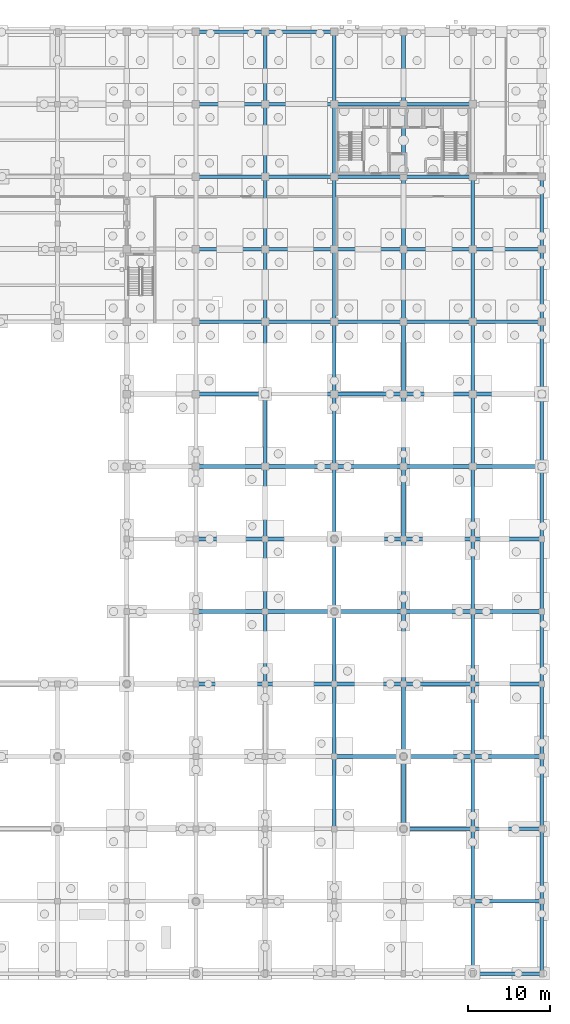
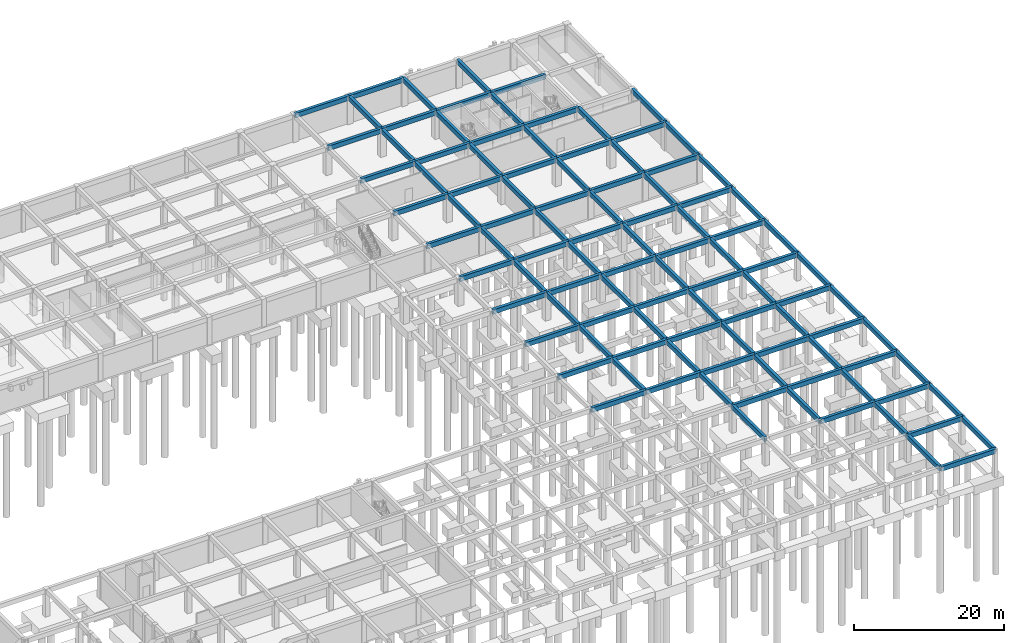
# One storey, part 18 of 41: 105 beams.
"""IFC4 building model written with IfcOpenShell, lengths in metres."""

from ifc_helpers import new_model, si_unit, direction, frame, origin, origin_2d, place, context, subcontext, project, spatial, rectangle, extrude, material, material_profile, profile_set, type_object, element, save


model = new_model("IFC4")

# Units and contexts
model_context = context("Model", 3, precision=1e-05, world=origin(), true_north=direction((0.0, 1.0)))
body_context = subcontext(model_context, "Body", "Model", "MODEL_VIEW")
ifc_project = project(units=[si_unit("LENGTHUNIT", "METRE"), si_unit("AREAUNIT", "SQUARE_METRE"), si_unit("VOLUMEUNIT", "CUBIC_METRE"), si_unit("PLANEANGLEUNIT", "RADIAN"), si_unit("MASSUNIT", "GRAM", prefix="KILO")], contexts=[model_context])

# Site, building, storey
site_placement = place(None, origin())
site = spatial("IfcSite", under=ifc_project, at=site_placement, CompositionType="ELEMENT")
building_placement = place(site_placement, origin())
building = spatial("IfcBuilding", under=site, at=building_placement, Name="Kemercrest Conservatory and Botanical Centre", CompositionType="ELEMENT")
storey_placement = place(building_placement, frame((0.0, 0.0, -4.5)))
storey = spatial("IfcBuildingStorey", under=building, at=storey_placement, Name="B1", CompositionType="ELEMENT", Elevation=-4.5)

# Beams
ifc_material = material(Name="Concrete C40/50", Category="concrete")
ifc_material_profile = material_profile(ifc_material, rectangle(XDim=0.449951171875, YDim=0.75, at=origin_2d()), Name="RC 450x750")
ifc_profile_set = profile_set([ifc_material_profile], Name="Concrete C40/50")
beam_type = type_object("IfcBeamType", Name="BM-RC75", PredefinedType="BEAM", material=ifc_profile_set)
for number, where, z_axis, x_axis, name in (
    (1, (167.60009765625, 8.0, 4.125), (1.0, 0.0, 0.0), (0.0, 1.0, 0.0), "B1 girder 20-21 on A"),
    (2, (167.60009765625, 16.800048828125, 4.125), (1.0, 0.0, 0.0), (0.0, 1.0, 0.0), "B1 girder 20-21 on B"),
):
    element("IfcBeam", number, at=place(storey_placement, frame(where, z_axis=z_axis, x_axis=x_axis)), inside=storey, type_object=beam_type, Name=name, PredefinedType="BEAM", context=body_context, shape_type="SweptSolid", body=[
        extrude(rectangle(XDim=0.449951171875, YDim=0.75, at=origin_2d()), origin(), (0.0, 0.0, 1.0), 8.39990234375),
    ])
beam_1_placement = place(storey_placement, frame((159.199951171875, 25.60009765625, 4.125), z_axis=(1.0, 0.0, 0.0), x_axis=(0.0, 1.0, 0.0)))
element("IfcBeam", 3, at=beam_1_placement, inside=storey, type_object=beam_type, Name="B1 girder 19-20 on C", PredefinedType="BEAM", context=body_context, shape_type="SweptSolid", body=[
    extrude(rectangle(XDim=0.449951171875, YDim=0.75, at=origin_2d()), origin(), (0.0, 0.0, 1.0), 8.400146484375),
])
for number, where, z_axis, x_axis, name in (
    (4, (167.60009765625, 25.60009765625, 4.125), (1.0, 0.0, 0.0), (0.0, 1.0, 0.0), "B1 girder 20-21 on C"),
    (5, (150.800048828125, 34.39990234375, 4.125), (1.0, 0.0, 0.0), (0.0, 1.0, 0.0), "B1 girder 18-19 on D"),
):
    element("IfcBeam", number, at=place(storey_placement, frame(where, z_axis=z_axis, x_axis=x_axis)), inside=storey, type_object=beam_type, Name=name, PredefinedType="BEAM", context=body_context, shape_type="SweptSolid", body=[
        extrude(rectangle(XDim=0.449951171875, YDim=0.75, at=origin_2d()), origin(), (0.0, 0.0, 1.0), 8.39990234375),
    ])
beam_2_placement = place(storey_placement, frame((159.199951171875, 34.39990234375, 4.125), z_axis=(1.0, 0.0, 0.0), x_axis=(0.0, 1.0, 0.0)))
element("IfcBeam", 6, at=beam_2_placement, inside=storey, type_object=beam_type, Name="B1 girder 19-20 on D", PredefinedType="BEAM", context=body_context, shape_type="SweptSolid", body=[
    extrude(rectangle(XDim=0.449951171875, YDim=0.75, at=origin_2d()), origin(), (0.0, 0.0, 1.0), 8.400146484375),
])
for number, where, z_axis, x_axis, name in (
    (7, (167.60009765625, 34.39990234375, 4.125), (1.0, 0.0, 0.0), (0.0, 1.0, 0.0), "B1 girder 20-21 on D"),
    (8, (134.0, 43.199951171875, 4.125), (1.0, 0.0, 0.0), (0.0, 1.0, 0.0), "B1 girder 16-17 on E"),
):
    element("IfcBeam", number, at=place(storey_placement, frame(where, z_axis=z_axis, x_axis=x_axis)), inside=storey, type_object=beam_type, Name=name, PredefinedType="BEAM", context=body_context, shape_type="SweptSolid", body=[
        extrude(rectangle(XDim=0.449951171875, YDim=0.75, at=origin_2d()), origin(), (0.0, 0.0, 1.0), 8.39990234375),
    ])
beam_3_placement = place(storey_placement, frame((142.39990234375, 43.199951171875, 4.125), z_axis=(1.0, 0.0, 0.0), x_axis=(0.0, 1.0, 0.0)))
element("IfcBeam", 9, at=beam_3_placement, inside=storey, type_object=beam_type, Name="B1 girder 17-18 on E", PredefinedType="BEAM", context=body_context, shape_type="SweptSolid", body=[
    extrude(rectangle(XDim=0.449951171875, YDim=0.75, at=origin_2d()), origin(), (0.0, 0.0, 1.0), 8.400146484375),
])
beam_4_placement = place(storey_placement, frame((150.800048828125, 43.199951171875, 4.125), z_axis=(1.0, 0.0, 0.0), x_axis=(0.0, 1.0, 0.0)))
element("IfcBeam", 10, at=beam_4_placement, inside=storey, type_object=beam_type, Name="B1 girder 18-19 on E", PredefinedType="BEAM", context=body_context, shape_type="SweptSolid", body=[
    extrude(rectangle(XDim=0.449951171875, YDim=0.75, at=origin_2d()), origin(), (0.0, 0.0, 1.0), 8.39990234375),
])
beam_5_placement = place(storey_placement, frame((159.199951171875, 43.199951171875, 4.125), z_axis=(1.0, 0.0, 0.0), x_axis=(0.0, 1.0, 0.0)))
element("IfcBeam", 11, at=beam_5_placement, inside=storey, type_object=beam_type, Name="B1 girder 19-20 on E", PredefinedType="BEAM", context=body_context, shape_type="SweptSolid", body=[
    extrude(rectangle(XDim=0.449951171875, YDim=0.75, at=origin_2d()), origin(), (0.0, 0.0, 1.0), 8.400146484375),
])
for number, where, z_axis, x_axis, name in (
    (12, (167.60009765625, 43.199951171875, 4.125), (1.0, 0.0, 0.0), (0.0, 1.0, 0.0), "B1 girder 20-21 on E"),
    (13, (134.0, 52.0, 4.125), (1.0, 0.0, 0.0), (0.0, 1.0, 0.0), "B1 girder 16-17 on F"),
):
    element("IfcBeam", number, at=place(storey_placement, frame(where, z_axis=z_axis, x_axis=x_axis)), inside=storey, type_object=beam_type, Name=name, PredefinedType="BEAM", context=body_context, shape_type="SweptSolid", body=[
        extrude(rectangle(XDim=0.449951171875, YDim=0.75, at=origin_2d()), origin(), (0.0, 0.0, 1.0), 8.39990234375),
    ])
beam_6_placement = place(storey_placement, frame((142.39990234375, 52.0, 4.125), z_axis=(1.0, 0.0, 0.0), x_axis=(0.0, 1.0, 0.0)))
element("IfcBeam", 14, at=beam_6_placement, inside=storey, type_object=beam_type, Name="B1 girder 17-18 on F", PredefinedType="BEAM", context=body_context, shape_type="SweptSolid", body=[
    extrude(rectangle(XDim=0.449951171875, YDim=0.75, at=origin_2d()), origin(), (0.0, 0.0, 1.0), 8.400146484375),
])
beam_7_placement = place(storey_placement, frame((150.800048828125, 52.0, 4.125), z_axis=(1.0, 0.0, 0.0), x_axis=(0.0, 1.0, 0.0)))
element("IfcBeam", 15, at=beam_7_placement, inside=storey, type_object=beam_type, Name="B1 girder 18-19 on F", PredefinedType="BEAM", context=body_context, shape_type="SweptSolid", body=[
    extrude(rectangle(XDim=0.449951171875, YDim=0.75, at=origin_2d()), origin(), (0.0, 0.0, 1.0), 8.39990234375),
])
beam_8_placement = place(storey_placement, frame((159.199951171875, 52.0, 4.125), z_axis=(1.0, 0.0, 0.0), x_axis=(0.0, 1.0, 0.0)))
element("IfcBeam", 16, at=beam_8_placement, inside=storey, type_object=beam_type, Name="B1 girder 19-20 on F", PredefinedType="BEAM", context=body_context, shape_type="SweptSolid", body=[
    extrude(rectangle(XDim=0.449951171875, YDim=0.75, at=origin_2d()), origin(), (0.0, 0.0, 1.0), 8.400146484375),
])
for number, where, z_axis, x_axis, name in (
    (17, (167.60009765625, 52.0, 4.125), (1.0, 0.0, 0.0), (0.0, 1.0, 0.0), "B1 girder 20-21 on F"),
    (18, (134.0, 60.800048828125, 4.125), (1.0, 0.0, 0.0), (0.0, 1.0, 0.0), "B1 girder 16-17 on G"),
):
    element("IfcBeam", number, at=place(storey_placement, frame(where, z_axis=z_axis, x_axis=x_axis)), inside=storey, type_object=beam_type, Name=name, PredefinedType="BEAM", context=body_context, shape_type="SweptSolid", body=[
        extrude(rectangle(XDim=0.449951171875, YDim=0.75, at=origin_2d()), origin(), (0.0, 0.0, 1.0), 8.39990234375),
    ])
beam_9_placement = place(storey_placement, frame((142.39990234375, 60.800048828125, 4.125), z_axis=(1.0, 0.0, 0.0), x_axis=(0.0, 1.0, 0.0)))
element("IfcBeam", 19, at=beam_9_placement, inside=storey, type_object=beam_type, Name="B1 girder 17-18 on G", PredefinedType="BEAM", context=body_context, shape_type="SweptSolid", body=[
    extrude(rectangle(XDim=0.449951171875, YDim=0.75, at=origin_2d()), origin(), (0.0, 0.0, 1.0), 8.400146484375),
])
beam_10_placement = place(storey_placement, frame((150.800048828125, 60.800048828125, 4.125), z_axis=(1.0, 0.0, 0.0), x_axis=(0.0, 1.0, 0.0)))
element("IfcBeam", 20, at=beam_10_placement, inside=storey, type_object=beam_type, Name="B1 girder 18-19 on G", PredefinedType="BEAM", context=body_context, shape_type="SweptSolid", body=[
    extrude(rectangle(XDim=0.449951171875, YDim=0.75, at=origin_2d()), origin(), (0.0, 0.0, 1.0), 8.39990234375),
])
beam_11_placement = place(storey_placement, frame((159.199951171875, 60.800048828125, 4.125), z_axis=(1.0, 0.0, 0.0), x_axis=(0.0, 1.0, 0.0)))
element("IfcBeam", 21, at=beam_11_placement, inside=storey, type_object=beam_type, Name="B1 girder 19-20 on G", PredefinedType="BEAM", context=body_context, shape_type="SweptSolid", body=[
    extrude(rectangle(XDim=0.449951171875, YDim=0.75, at=origin_2d()), origin(), (0.0, 0.0, 1.0), 8.400146484375),
])
for number, where, z_axis, x_axis, name in (
    (22, (167.60009765625, 60.800048828125, 4.125), (1.0, 0.0, 0.0), (0.0, 1.0, 0.0), "B1 girder 20-21 on G"),
    (23, (134.0, 69.60009765625, 4.125), (1.0, 0.0, 0.0), (0.0, 1.0, 0.0), "B1 girder 16-17 on H"),
):
    element("IfcBeam", number, at=place(storey_placement, frame(where, z_axis=z_axis, x_axis=x_axis)), inside=storey, type_object=beam_type, Name=name, PredefinedType="BEAM", context=body_context, shape_type="SweptSolid", body=[
        extrude(rectangle(XDim=0.449951171875, YDim=0.75, at=origin_2d()), origin(), (0.0, 0.0, 1.0), 8.39990234375),
    ])
beam_12_placement = place(storey_placement, frame((142.39990234375, 69.60009765625, 4.125), z_axis=(1.0, 0.0, 0.0), x_axis=(0.0, 1.0, 0.0)))
element("IfcBeam", 24, at=beam_12_placement, inside=storey, type_object=beam_type, Name="B1 girder 17-18 on H", PredefinedType="BEAM", context=body_context, shape_type="SweptSolid", body=[
    extrude(rectangle(XDim=0.449951171875, YDim=0.75, at=origin_2d()), origin(), (0.0, 0.0, 1.0), 8.400146484375),
])
beam_13_placement = place(storey_placement, frame((150.800048828125, 69.60009765625, 4.125), z_axis=(1.0, 0.0, 0.0), x_axis=(0.0, 1.0, 0.0)))
element("IfcBeam", 25, at=beam_13_placement, inside=storey, type_object=beam_type, Name="B1 girder 18-19 on H", PredefinedType="BEAM", context=body_context, shape_type="SweptSolid", body=[
    extrude(rectangle(XDim=0.449951171875, YDim=0.75, at=origin_2d()), origin(), (0.0, 0.0, 1.0), 8.39990234375),
])
beam_14_placement = place(storey_placement, frame((159.199951171875, 69.60009765625, 4.125), z_axis=(1.0, 0.0, 0.0), x_axis=(0.0, 1.0, 0.0)))
element("IfcBeam", 26, at=beam_14_placement, inside=storey, type_object=beam_type, Name="B1 girder 19-20 on H", PredefinedType="BEAM", context=body_context, shape_type="SweptSolid", body=[
    extrude(rectangle(XDim=0.449951171875, YDim=0.75, at=origin_2d()), origin(), (0.0, 0.0, 1.0), 8.400146484375),
])
for number, where, z_axis, x_axis, name in (
    (27, (167.60009765625, 69.60009765625, 4.125), (1.0, 0.0, 0.0), (0.0, 1.0, 0.0), "B1 girder 20-21 on H"),
    (28, (134.0, 78.39990234375, 4.125), (1.0, 0.0, 0.0), (0.0, 1.0, 0.0), "B1 girder 16-17 on J"),
):
    element("IfcBeam", number, at=place(storey_placement, frame(where, z_axis=z_axis, x_axis=x_axis)), inside=storey, type_object=beam_type, Name=name, PredefinedType="BEAM", context=body_context, shape_type="SweptSolid", body=[
        extrude(rectangle(XDim=0.449951171875, YDim=0.75, at=origin_2d()), origin(), (0.0, 0.0, 1.0), 8.39990234375),
    ])
beam_15_placement = place(storey_placement, frame((142.39990234375, 78.39990234375, 4.125), z_axis=(1.0, 0.0, 0.0), x_axis=(0.0, 1.0, 0.0)))
element("IfcBeam", 29, at=beam_15_placement, inside=storey, type_object=beam_type, Name="B1 girder 17-18 on J", PredefinedType="BEAM", context=body_context, shape_type="SweptSolid", body=[
    extrude(rectangle(XDim=0.449951171875, YDim=0.75, at=origin_2d()), origin(), (0.0, 0.0, 1.0), 8.400146484375),
])
beam_16_placement = place(storey_placement, frame((150.800048828125, 78.39990234375, 4.125), z_axis=(1.0, 0.0, 0.0), x_axis=(0.0, 1.0, 0.0)))
element("IfcBeam", 30, at=beam_16_placement, inside=storey, type_object=beam_type, Name="B1 girder 18-19 on J", PredefinedType="BEAM", context=body_context, shape_type="SweptSolid", body=[
    extrude(rectangle(XDim=0.449951171875, YDim=0.75, at=origin_2d()), origin(), (0.0, 0.0, 1.0), 8.39990234375),
])
beam_17_placement = place(storey_placement, frame((159.199951171875, 78.39990234375, 4.125), z_axis=(1.0, 0.0, 0.0), x_axis=(0.0, 1.0, 0.0)))
element("IfcBeam", 31, at=beam_17_placement, inside=storey, type_object=beam_type, Name="B1 girder 19-20 on J", PredefinedType="BEAM", context=body_context, shape_type="SweptSolid", body=[
    extrude(rectangle(XDim=0.449951171875, YDim=0.75, at=origin_2d()), origin(), (0.0, 0.0, 1.0), 8.400146484375),
])
for number, where, z_axis, x_axis, name in (
    (32, (167.60009765625, 78.39990234375, 4.125), (1.0, 0.0, 0.0), (0.0, 1.0, 0.0), "B1 girder 20-21 on J"),
    (33, (134.0, 87.199951171875, 4.125), (1.0, 0.0, 0.0), (0.0, 1.0, 0.0), "B1 girder 16-17 on K"),
):
    element("IfcBeam", number, at=place(storey_placement, frame(where, z_axis=z_axis, x_axis=x_axis)), inside=storey, type_object=beam_type, Name=name, PredefinedType="BEAM", context=body_context, shape_type="SweptSolid", body=[
        extrude(rectangle(XDim=0.449951171875, YDim=0.75, at=origin_2d()), origin(), (0.0, 0.0, 1.0), 8.39990234375),
    ])
beam_18_placement = place(storey_placement, frame((142.39990234375, 87.199951171875, 4.125), z_axis=(1.0, 0.0, 0.0), x_axis=(0.0, 1.0, 0.0)))
element("IfcBeam", 34, at=beam_18_placement, inside=storey, type_object=beam_type, Name="B1 girder 17-18 on K", PredefinedType="BEAM", context=body_context, shape_type="SweptSolid", body=[
    extrude(rectangle(XDim=0.449951171875, YDim=0.75, at=origin_2d()), origin(), (0.0, 0.0, 1.0), 8.400146484375),
])
beam_19_placement = place(storey_placement, frame((150.800048828125, 87.199951171875, 4.125), z_axis=(1.0, 0.0, 0.0), x_axis=(0.0, 1.0, 0.0)))
element("IfcBeam", 35, at=beam_19_placement, inside=storey, type_object=beam_type, Name="B1 girder 18-19 on K", PredefinedType="BEAM", context=body_context, shape_type="SweptSolid", body=[
    extrude(rectangle(XDim=0.449951171875, YDim=0.75, at=origin_2d()), origin(), (0.0, 0.0, 1.0), 8.39990234375),
])
beam_20_placement = place(storey_placement, frame((159.199951171875, 87.199951171875, 4.125), z_axis=(1.0, 0.0, 0.0), x_axis=(0.0, 1.0, 0.0)))
element("IfcBeam", 36, at=beam_20_placement, inside=storey, type_object=beam_type, Name="B1 girder 19-20 on K", PredefinedType="BEAM", context=body_context, shape_type="SweptSolid", body=[
    extrude(rectangle(XDim=0.449951171875, YDim=0.75, at=origin_2d()), origin(), (0.0, 0.0, 1.0), 8.400146484375),
])
for number, where, z_axis, x_axis, name in (
    (37, (167.60009765625, 87.199951171875, 4.125), (1.0, 0.0, 0.0), (0.0, 1.0, 0.0), "B1 girder 20-21 on K"),
    (38, (134.0, 96.0, 4.125), (1.0, 0.0, 0.0), (0.0, 1.0, 0.0), "B1 girder 16-17 on L"),
):
    element("IfcBeam", number, at=place(storey_placement, frame(where, z_axis=z_axis, x_axis=x_axis)), inside=storey, type_object=beam_type, Name=name, PredefinedType="BEAM", context=body_context, shape_type="SweptSolid", body=[
        extrude(rectangle(XDim=0.449951171875, YDim=0.75, at=origin_2d()), origin(), (0.0, 0.0, 1.0), 8.39990234375),
    ])
beam_21_placement = place(storey_placement, frame((142.39990234375, 96.0, 4.125), z_axis=(1.0, 0.0, 0.0), x_axis=(0.0, 1.0, 0.0)))
element("IfcBeam", 39, at=beam_21_placement, inside=storey, type_object=beam_type, Name="B1 girder 17-18 on L", PredefinedType="BEAM", context=body_context, shape_type="SweptSolid", body=[
    extrude(rectangle(XDim=0.449951171875, YDim=0.75, at=origin_2d()), origin(), (0.0, 0.0, 1.0), 8.400146484375),
])
beam_22_placement = place(storey_placement, frame((150.800048828125, 96.0, 4.125), z_axis=(1.0, 0.0, 0.0), x_axis=(0.0, 1.0, 0.0)))
element("IfcBeam", 40, at=beam_22_placement, inside=storey, type_object=beam_type, Name="B1 girder 18-19 on L", PredefinedType="BEAM", context=body_context, shape_type="SweptSolid", body=[
    extrude(rectangle(XDim=0.449951171875, YDim=0.75, at=origin_2d()), origin(), (0.0, 0.0, 1.0), 8.39990234375),
])
beam_23_placement = place(storey_placement, frame((159.199951171875, 96.0, 4.125), z_axis=(1.0, 0.0, 0.0), x_axis=(0.0, 1.0, 0.0)))
element("IfcBeam", 41, at=beam_23_placement, inside=storey, type_object=beam_type, Name="B1 girder 19-20 on L", PredefinedType="BEAM", context=body_context, shape_type="SweptSolid", body=[
    extrude(rectangle(XDim=0.449951171875, YDim=0.75, at=origin_2d()), origin(), (0.0, 0.0, 1.0), 8.400146484375),
])
for number, where, z_axis, x_axis, name in (
    (42, (167.60009765625, 96.0, 4.125), (1.0, 0.0, 0.0), (0.0, 1.0, 0.0), "B1 girder 20-21 on L"),
    (43, (134.0, 104.800048828125, 4.125), (1.0, 0.0, 0.0), (0.0, 1.0, 0.0), "B1 girder 16-17 on M"),
):
    element("IfcBeam", number, at=place(storey_placement, frame(where, z_axis=z_axis, x_axis=x_axis)), inside=storey, type_object=beam_type, Name=name, PredefinedType="BEAM", context=body_context, shape_type="SweptSolid", body=[
        extrude(rectangle(XDim=0.449951171875, YDim=0.75, at=origin_2d()), origin(), (0.0, 0.0, 1.0), 8.39990234375),
    ])
beam_24_placement = place(storey_placement, frame((142.39990234375, 104.800048828125, 4.125), z_axis=(1.0, 0.0, 0.0), x_axis=(0.0, 1.0, 0.0)))
element("IfcBeam", 44, at=beam_24_placement, inside=storey, type_object=beam_type, Name="B1 girder 17-18 on M", PredefinedType="BEAM", context=body_context, shape_type="SweptSolid", body=[
    extrude(rectangle(XDim=0.449951171875, YDim=0.75, at=origin_2d()), origin(), (0.0, 0.0, 1.0), 8.400146484375),
])
beam_25_placement = place(storey_placement, frame((150.800048828125, 104.800048828125, 4.125), z_axis=(1.0, 0.0, 0.0), x_axis=(0.0, 1.0, 0.0)))
element("IfcBeam", 45, at=beam_25_placement, inside=storey, type_object=beam_type, Name="B1 girder 18-19 on M", PredefinedType="BEAM", context=body_context, shape_type="SweptSolid", body=[
    extrude(rectangle(XDim=0.449951171875, YDim=0.75, at=origin_2d()), origin(), (0.0, 0.0, 1.0), 8.39990234375),
])
beam_26_placement = place(storey_placement, frame((159.199951171875, 104.800048828125, 4.125), z_axis=(1.0, 0.0, 0.0), x_axis=(0.0, 1.0, 0.0)))
element("IfcBeam", 46, at=beam_26_placement, inside=storey, type_object=beam_type, Name="B1 girder 19-20 on M", PredefinedType="BEAM", context=body_context, shape_type="SweptSolid", body=[
    extrude(rectangle(XDim=0.449951171875, YDim=0.75, at=origin_2d()), origin(), (0.0, 0.0, 1.0), 8.400146484375),
])
beam_27_placement = place(storey_placement, frame((134.0, 113.60009765625, 4.125), z_axis=(1.0, 0.0, 0.0), x_axis=(0.0, 1.0, 0.0)))
element("IfcBeam", 47, at=beam_27_placement, inside=storey, type_object=beam_type, Name="B1 girder 16-17 on N", PredefinedType="BEAM", context=body_context, shape_type="SweptSolid", body=[
    extrude(rectangle(XDim=0.449951171875, YDim=0.75, at=origin_2d()), origin(), (0.0, 0.0, 1.0), 8.39990234375),
])
beam_28_placement = place(storey_placement, frame((142.39990234375, 113.60009765625, 4.125), z_axis=(1.0, 0.0, 0.0), x_axis=(0.0, 1.0, 0.0)))
element("IfcBeam", 48, at=beam_28_placement, inside=storey, type_object=beam_type, Name="B1 girder 17-18 on N", PredefinedType="BEAM", context=body_context, shape_type="SweptSolid", body=[
    extrude(rectangle(XDim=0.449951171875, YDim=0.75, at=origin_2d()), origin(), (0.0, 0.0, 1.0), 8.400146484375),
])
beam_29_placement = place(storey_placement, frame((150.800048828125, 113.60009765625, 4.125), z_axis=(1.0, 0.0, 0.0), x_axis=(0.0, 1.0, 0.0)))
element("IfcBeam", 49, at=beam_29_placement, inside=storey, type_object=beam_type, Name="B1 girder 18-19 on N", PredefinedType="BEAM", context=body_context, shape_type="SweptSolid", body=[
    extrude(rectangle(XDim=0.449951171875, YDim=0.75, at=origin_2d()), origin(), (0.0, 0.0, 1.0), 8.39990234375),
])
beam_30_placement = place(storey_placement, frame((159.199951171875, 113.60009765625, 4.125), z_axis=(1.0, 0.0, 0.0), x_axis=(0.0, 1.0, 0.0)))
element("IfcBeam", 50, at=beam_30_placement, inside=storey, type_object=beam_type, Name="B1 girder 19-20 on N", PredefinedType="BEAM", context=body_context, shape_type="SweptSolid", body=[
    extrude(rectangle(XDim=0.449951171875, YDim=0.75, at=origin_2d()), origin(), (0.0, 0.0, 1.0), 8.400146484375),
])
beam_31_placement = place(storey_placement, frame((134.0, 122.39990234375, 4.125), z_axis=(1.0, 0.0, 0.0), x_axis=(0.0, 1.0, 0.0)))
element("IfcBeam", 51, at=beam_31_placement, inside=storey, type_object=beam_type, Name="B1 girder 16-17 on P", PredefinedType="BEAM", context=body_context, shape_type="SweptSolid", body=[
    extrude(rectangle(XDim=0.449951171875, YDim=0.75, at=origin_2d()), origin(), (0.0, 0.0, 1.0), 8.39990234375),
])
beam_32_placement = place(storey_placement, frame((142.39990234375, 122.39990234375, 4.125), z_axis=(1.0, 0.0, 0.0), x_axis=(0.0, 1.0, 0.0)))
element("IfcBeam", 52, at=beam_32_placement, inside=storey, type_object=beam_type, Name="B1 girder 17-18 on P", PredefinedType="BEAM", context=body_context, shape_type="SweptSolid", body=[
    extrude(rectangle(XDim=0.449951171875, YDim=0.75, at=origin_2d()), origin(), (0.0, 0.0, 1.0), 8.400146484375),
])
for number, where, z_axis, x_axis, name in (
    (53, (142.39990234375, 43.199951171875, 4.125), (0.0, 1.0, 0.0), (-1.0, 0.0, 0.0), "B1 girder E-F on 17"),
    (54, (142.39990234375, 52.0, 4.125), (0.0, 1.0, 0.0), (-1.0, 0.0, 0.0), "B1 girder F-G on 17"),
    (55, (142.39990234375, 60.800048828125, 4.125), (0.0, 1.0, 0.0), (-1.0, 0.0, 0.0), "B1 girder G-H on 17"),
):
    element("IfcBeam", number, at=place(storey_placement, frame(where, z_axis=z_axis, x_axis=x_axis)), inside=storey, type_object=beam_type, Name=name, PredefinedType="BEAM", context=body_context, shape_type="SweptSolid", body=[
        extrude(rectangle(XDim=0.449951171875, YDim=0.75, at=origin_2d()), origin(), (0.0, 0.0, 1.0), 8.800048828125),
    ])
beam_33_placement = place(storey_placement, frame((142.39990234375, 69.60009765625, 4.125), z_axis=(0.0, 1.0, 0.0), x_axis=(-1.0, 0.0, 0.0)))
element("IfcBeam", 56, at=beam_33_placement, inside=storey, type_object=beam_type, Name="B1 girder H-J on 17", PredefinedType="BEAM", context=body_context, shape_type="SweptSolid", body=[
    extrude(rectangle(XDim=0.449951171875, YDim=0.75, at=origin_2d()), origin(), (0.0, 0.0, 1.0), 8.7998046875),
])
for number, where, z_axis, x_axis, name in (
    (57, (142.39990234375, 78.39990234375, 4.125), (0.0, 1.0, 0.0), (-1.0, 0.0, 0.0), "B1 girder J-K on 17"),
    (58, (142.39990234375, 87.199951171875, 4.125), (0.0, 1.0, 0.0), (-1.0, 0.0, 0.0), "B1 girder K-L on 17"),
    (59, (142.39990234375, 96.0, 4.125), (0.0, 1.0, 0.0), (-1.0, 0.0, 0.0), "B1 girder L-M on 17"),
    (60, (142.39990234375, 104.800048828125, 4.125), (0.0, 1.0, 0.0), (-1.0, 0.0, 0.0), "B1 girder M-N on 17"),
):
    element("IfcBeam", number, at=place(storey_placement, frame(where, z_axis=z_axis, x_axis=x_axis)), inside=storey, type_object=beam_type, Name=name, PredefinedType="BEAM", context=body_context, shape_type="SweptSolid", body=[
        extrude(rectangle(XDim=0.449951171875, YDim=0.75, at=origin_2d()), origin(), (0.0, 0.0, 1.0), 8.800048828125),
    ])
for number, where, z_axis, x_axis, name in (
    (61, (142.39990234375, 113.60009765625, 4.125), (0.0, 1.0, 0.0), (-1.0, 0.0, 0.0), "B1 girder N-P on 17"),
    (62, (150.800048828125, 25.60009765625, 4.125), (0.0, 1.0, 0.0), (-1.0, 0.0, 0.0), "B1 girder C-D on 18"),
):
    element("IfcBeam", number, at=place(storey_placement, frame(where, z_axis=z_axis, x_axis=x_axis)), inside=storey, type_object=beam_type, Name=name, PredefinedType="BEAM", context=body_context, shape_type="SweptSolid", body=[
        extrude(rectangle(XDim=0.449951171875, YDim=0.75, at=origin_2d()), origin(), (0.0, 0.0, 1.0), 8.7998046875),
    ])
for number, where, z_axis, x_axis, name in (
    (63, (150.800048828125, 34.39990234375, 4.125), (0.0, 1.0, 0.0), (-1.0, 0.0, 0.0), "B1 girder D-E on 18"),
    (64, (150.800048828125, 43.199951171875, 4.125), (0.0, 1.0, 0.0), (-1.0, 0.0, 0.0), "B1 girder E-F on 18"),
    (65, (150.800048828125, 52.0, 4.125), (0.0, 1.0, 0.0), (-1.0, 0.0, 0.0), "B1 girder F-G on 18"),
    (66, (150.800048828125, 60.800048828125, 4.125), (0.0, 1.0, 0.0), (-1.0, 0.0, 0.0), "B1 girder G-H on 18"),
):
    element("IfcBeam", number, at=place(storey_placement, frame(where, z_axis=z_axis, x_axis=x_axis)), inside=storey, type_object=beam_type, Name=name, PredefinedType="BEAM", context=body_context, shape_type="SweptSolid", body=[
        extrude(rectangle(XDim=0.449951171875, YDim=0.75, at=origin_2d()), origin(), (0.0, 0.0, 1.0), 8.800048828125),
    ])
beam_34_placement = place(storey_placement, frame((150.800048828125, 69.60009765625, 4.125), z_axis=(0.0, 1.0, 0.0), x_axis=(-1.0, 0.0, 0.0)))
element("IfcBeam", 67, at=beam_34_placement, inside=storey, type_object=beam_type, Name="B1 girder H-J on 18", PredefinedType="BEAM", context=body_context, shape_type="SweptSolid", body=[
    extrude(rectangle(XDim=0.449951171875, YDim=0.75, at=origin_2d()), origin(), (0.0, 0.0, 1.0), 8.7998046875),
])
for number, where, z_axis, x_axis, name in (
    (68, (150.800048828125, 78.39990234375, 4.125), (0.0, 1.0, 0.0), (-1.0, 0.0, 0.0), "B1 girder J-K on 18"),
    (69, (150.800048828125, 87.199951171875, 4.125), (0.0, 1.0, 0.0), (-1.0, 0.0, 0.0), "B1 girder K-L on 18"),
    (70, (150.800048828125, 96.0, 4.125), (0.0, 1.0, 0.0), (-1.0, 0.0, 0.0), "B1 girder L-M on 18"),
    (71, (150.800048828125, 104.800048828125, 4.125), (0.0, 1.0, 0.0), (-1.0, 0.0, 0.0), "B1 girder M-N on 18"),
):
    element("IfcBeam", number, at=place(storey_placement, frame(where, z_axis=z_axis, x_axis=x_axis)), inside=storey, type_object=beam_type, Name=name, PredefinedType="BEAM", context=body_context, shape_type="SweptSolid", body=[
        extrude(rectangle(XDim=0.449951171875, YDim=0.75, at=origin_2d()), origin(), (0.0, 0.0, 1.0), 8.800048828125),
    ])
for number, where, z_axis, x_axis, name in (
    (72, (150.800048828125, 113.60009765625, 4.125), (0.0, 1.0, 0.0), (-1.0, 0.0, 0.0), "B1 girder N-P on 18"),
    (73, (159.199951171875, 25.60009765625, 4.125), (0.0, 1.0, 0.0), (-1.0, 0.0, 0.0), "B1 girder C-D on 19"),
):
    element("IfcBeam", number, at=place(storey_placement, frame(where, z_axis=z_axis, x_axis=x_axis)), inside=storey, type_object=beam_type, Name=name, PredefinedType="BEAM", context=body_context, shape_type="SweptSolid", body=[
        extrude(rectangle(XDim=0.449951171875, YDim=0.75, at=origin_2d()), origin(), (0.0, 0.0, 1.0), 8.7998046875),
    ])
for number, where, z_axis, x_axis, name in (
    (74, (159.199951171875, 34.39990234375, 4.125), (0.0, 1.0, 0.0), (-1.0, 0.0, 0.0), "B1 girder D-E on 19"),
    (75, (159.199951171875, 43.199951171875, 4.125), (0.0, 1.0, 0.0), (-1.0, 0.0, 0.0), "B1 girder E-F on 19"),
    (76, (159.199951171875, 52.0, 4.125), (0.0, 1.0, 0.0), (-1.0, 0.0, 0.0), "B1 girder F-G on 19"),
    (77, (159.199951171875, 60.800048828125, 4.125), (0.0, 1.0, 0.0), (-1.0, 0.0, 0.0), "B1 girder G-H on 19"),
):
    element("IfcBeam", number, at=place(storey_placement, frame(where, z_axis=z_axis, x_axis=x_axis)), inside=storey, type_object=beam_type, Name=name, PredefinedType="BEAM", context=body_context, shape_type="SweptSolid", body=[
        extrude(rectangle(XDim=0.449951171875, YDim=0.75, at=origin_2d()), origin(), (0.0, 0.0, 1.0), 8.800048828125),
    ])
beam_35_placement = place(storey_placement, frame((159.199951171875, 69.60009765625, 4.125), z_axis=(0.0, 1.0, 0.0), x_axis=(-1.0, 0.0, 0.0)))
element("IfcBeam", 78, at=beam_35_placement, inside=storey, type_object=beam_type, Name="B1 girder H-J on 19", PredefinedType="BEAM", context=body_context, shape_type="SweptSolid", body=[
    extrude(rectangle(XDim=0.449951171875, YDim=0.75, at=origin_2d()), origin(), (0.0, 0.0, 1.0), 8.7998046875),
])
for number, where, z_axis, x_axis, name in (
    (79, (159.199951171875, 78.39990234375, 4.125), (0.0, 1.0, 0.0), (-1.0, 0.0, 0.0), "B1 girder J-K on 19"),
    (80, (159.199951171875, 87.199951171875, 4.125), (0.0, 1.0, 0.0), (-1.0, 0.0, 0.0), "B1 girder K-L on 19"),
    (81, (159.199951171875, 96.0, 4.125), (0.0, 1.0, 0.0), (-1.0, 0.0, 0.0), "B1 girder L-M on 19"),
    (82, (159.199951171875, 104.800048828125, 4.125), (0.0, 1.0, 0.0), (-1.0, 0.0, 0.0), "B1 girder M-N on 19"),
):
    element("IfcBeam", number, at=place(storey_placement, frame(where, z_axis=z_axis, x_axis=x_axis)), inside=storey, type_object=beam_type, Name=name, PredefinedType="BEAM", context=body_context, shape_type="SweptSolid", body=[
        extrude(rectangle(XDim=0.449951171875, YDim=0.75, at=origin_2d()), origin(), (0.0, 0.0, 1.0), 8.800048828125),
    ])
beam_36_placement = place(storey_placement, frame((159.199951171875, 113.60009765625, 4.125), z_axis=(0.0, 1.0, 0.0), x_axis=(-1.0, 0.0, 0.0)))
element("IfcBeam", 83, at=beam_36_placement, inside=storey, type_object=beam_type, Name="B1 girder N-P on 19", PredefinedType="BEAM", context=body_context, shape_type="SweptSolid", body=[
    extrude(rectangle(XDim=0.449951171875, YDim=0.75, at=origin_2d()), origin(), (0.0, 0.0, 1.0), 8.7998046875),
])
for number, where, z_axis, x_axis, name in (
    (84, (167.60009765625, 8.0, 4.125), (0.0, 1.0, 0.0), (-1.0, 0.0, 0.0), "B1 girder A-B on 20"),
    (85, (167.60009765625, 16.800048828125, 4.125), (0.0, 1.0, 0.0), (-1.0, 0.0, 0.0), "B1 girder B-C on 20"),
):
    element("IfcBeam", number, at=place(storey_placement, frame(where, z_axis=z_axis, x_axis=x_axis)), inside=storey, type_object=beam_type, Name=name, PredefinedType="BEAM", context=body_context, shape_type="SweptSolid", body=[
        extrude(rectangle(XDim=0.449951171875, YDim=0.75, at=origin_2d()), origin(), (0.0, 0.0, 1.0), 8.800048828125),
    ])
beam_37_placement = place(storey_placement, frame((167.60009765625, 25.60009765625, 4.125), z_axis=(0.0, 1.0, 0.0), x_axis=(-1.0, 0.0, 0.0)))
element("IfcBeam", 86, at=beam_37_placement, inside=storey, type_object=beam_type, Name="B1 girder C-D on 20", PredefinedType="BEAM", context=body_context, shape_type="SweptSolid", body=[
    extrude(rectangle(XDim=0.449951171875, YDim=0.75, at=origin_2d()), origin(), (0.0, 0.0, 1.0), 8.7998046875),
])
for number, where, z_axis, x_axis, name in (
    (87, (167.60009765625, 34.39990234375, 4.125), (0.0, 1.0, 0.0), (-1.0, 0.0, 0.0), "B1 girder D-E on 20"),
    (88, (167.60009765625, 43.199951171875, 4.125), (0.0, 1.0, 0.0), (-1.0, 0.0, 0.0), "B1 girder E-F on 20"),
    (89, (167.60009765625, 52.0, 4.125), (0.0, 1.0, 0.0), (-1.0, 0.0, 0.0), "B1 girder F-G on 20"),
    (90, (167.60009765625, 60.800048828125, 4.125), (0.0, 1.0, 0.0), (-1.0, 0.0, 0.0), "B1 girder G-H on 20"),
):
    element("IfcBeam", number, at=place(storey_placement, frame(where, z_axis=z_axis, x_axis=x_axis)), inside=storey, type_object=beam_type, Name=name, PredefinedType="BEAM", context=body_context, shape_type="SweptSolid", body=[
        extrude(rectangle(XDim=0.449951171875, YDim=0.75, at=origin_2d()), origin(), (0.0, 0.0, 1.0), 8.800048828125),
    ])
beam_38_placement = place(storey_placement, frame((167.60009765625, 69.60009765625, 4.125), z_axis=(0.0, 1.0, 0.0), x_axis=(-1.0, 0.0, 0.0)))
element("IfcBeam", 91, at=beam_38_placement, inside=storey, type_object=beam_type, Name="B1 girder H-J on 20", PredefinedType="BEAM", context=body_context, shape_type="SweptSolid", body=[
    extrude(rectangle(XDim=0.449951171875, YDim=0.75, at=origin_2d()), origin(), (0.0, 0.0, 1.0), 8.7998046875),
])
for number, where, z_axis, x_axis, name in (
    (92, (167.60009765625, 78.39990234375, 4.125), (0.0, 1.0, 0.0), (-1.0, 0.0, 0.0), "B1 girder J-K on 20"),
    (93, (167.60009765625, 87.199951171875, 4.125), (0.0, 1.0, 0.0), (-1.0, 0.0, 0.0), "B1 girder K-L on 20"),
    (94, (167.60009765625, 96.0, 4.125), (0.0, 1.0, 0.0), (-1.0, 0.0, 0.0), "B1 girder L-M on 20"),
    (95, (176.0, 8.0, 4.125), (0.0, 1.0, 0.0), (-1.0, 0.0, 0.0), "B1 girder A-B on 21"),
    (96, (176.0, 16.800048828125, 4.125), (0.0, 1.0, 0.0), (-1.0, 0.0, 0.0), "B1 girder B-C on 21"),
):
    element("IfcBeam", number, at=place(storey_placement, frame(where, z_axis=z_axis, x_axis=x_axis)), inside=storey, type_object=beam_type, Name=name, PredefinedType="BEAM", context=body_context, shape_type="SweptSolid", body=[
        extrude(rectangle(XDim=0.449951171875, YDim=0.75, at=origin_2d()), origin(), (0.0, 0.0, 1.0), 8.800048828125),
    ])
beam_39_placement = place(storey_placement, frame((176.0, 25.60009765625, 4.125), z_axis=(0.0, 1.0, 0.0), x_axis=(-1.0, 0.0, 0.0)))
element("IfcBeam", 97, at=beam_39_placement, inside=storey, type_object=beam_type, Name="B1 girder C-D on 21", PredefinedType="BEAM", context=body_context, shape_type="SweptSolid", body=[
    extrude(rectangle(XDim=0.449951171875, YDim=0.75, at=origin_2d()), origin(), (0.0, 0.0, 1.0), 8.7998046875),
])
for number, where, z_axis, x_axis, name in (
    (98, (176.0, 34.39990234375, 4.125), (0.0, 1.0, 0.0), (-1.0, 0.0, 0.0), "B1 girder D-E on 21"),
    (99, (176.0, 43.199951171875, 4.125), (0.0, 1.0, 0.0), (-1.0, 0.0, 0.0), "B1 girder E-F on 21"),
    (100, (176.0, 52.0, 4.125), (0.0, 1.0, 0.0), (-1.0, 0.0, 0.0), "B1 girder F-G on 21"),
    (101, (176.0, 60.800048828125, 4.125), (0.0, 1.0, 0.0), (-1.0, 0.0, 0.0), "B1 girder G-H on 21"),
):
    element("IfcBeam", number, at=place(storey_placement, frame(where, z_axis=z_axis, x_axis=x_axis)), inside=storey, type_object=beam_type, Name=name, PredefinedType="BEAM", context=body_context, shape_type="SweptSolid", body=[
        extrude(rectangle(XDim=0.449951171875, YDim=0.75, at=origin_2d()), origin(), (0.0, 0.0, 1.0), 8.800048828125),
    ])
beam_40_placement = place(storey_placement, frame((176.0, 69.60009765625, 4.125), z_axis=(0.0, 1.0, 0.0), x_axis=(-1.0, 0.0, 0.0)))
element("IfcBeam", 102, at=beam_40_placement, inside=storey, type_object=beam_type, Name="B1 girder H-J on 21", PredefinedType="BEAM", context=body_context, shape_type="SweptSolid", body=[
    extrude(rectangle(XDim=0.449951171875, YDim=0.75, at=origin_2d()), origin(), (0.0, 0.0, 1.0), 8.7998046875),
])
for number, where, z_axis, x_axis, name in (
    (103, (176.0, 78.39990234375, 4.125), (0.0, 1.0, 0.0), (-1.0, 0.0, 0.0), "B1 girder J-K on 21"),
    (104, (176.0, 87.199951171875, 4.125), (0.0, 1.0, 0.0), (-1.0, 0.0, 0.0), "B1 girder K-L on 21"),
    (105, (176.0, 96.0, 4.125), (0.0, 1.0, 0.0), (-1.0, 0.0, 0.0), "B1 girder L-M on 21"),
):
    element("IfcBeam", number, at=place(storey_placement, frame(where, z_axis=z_axis, x_axis=x_axis)), inside=storey, type_object=beam_type, Name=name, PredefinedType="BEAM", context=body_context, shape_type="SweptSolid", body=[
        extrude(rectangle(XDim=0.449951171875, YDim=0.75, at=origin_2d()), origin(), (0.0, 0.0, 1.0), 8.800048828125),
    ])

save(model, "model.ifc")
